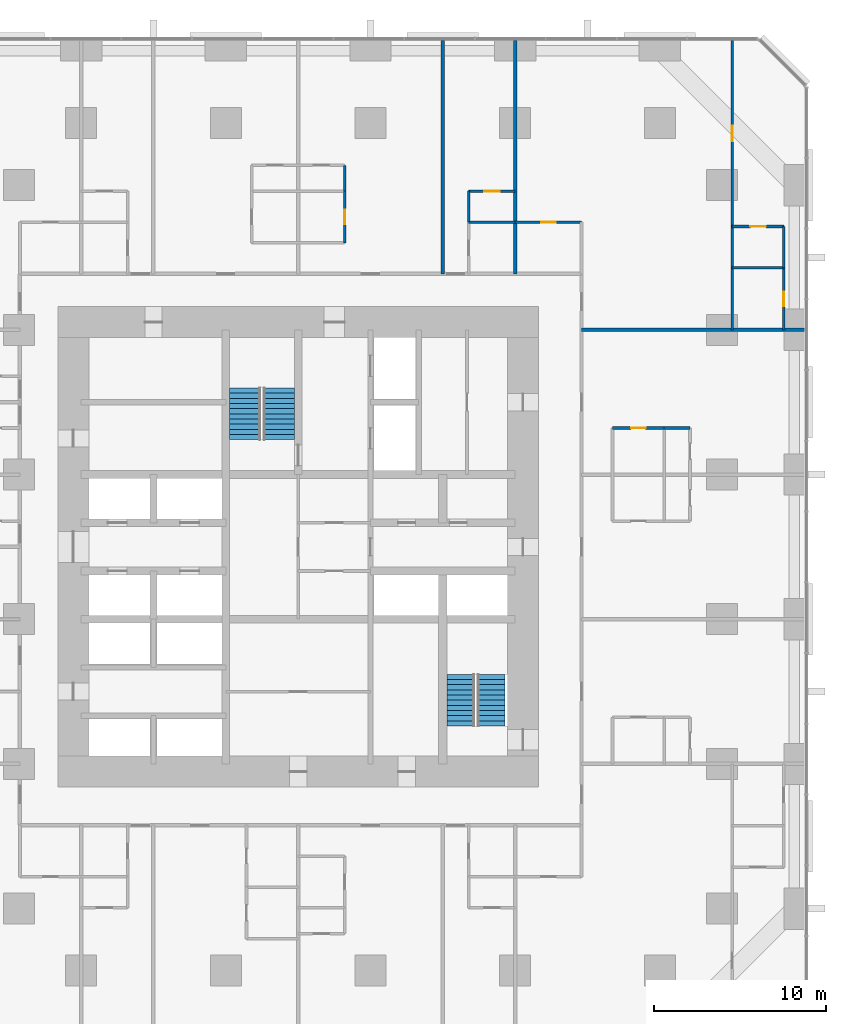
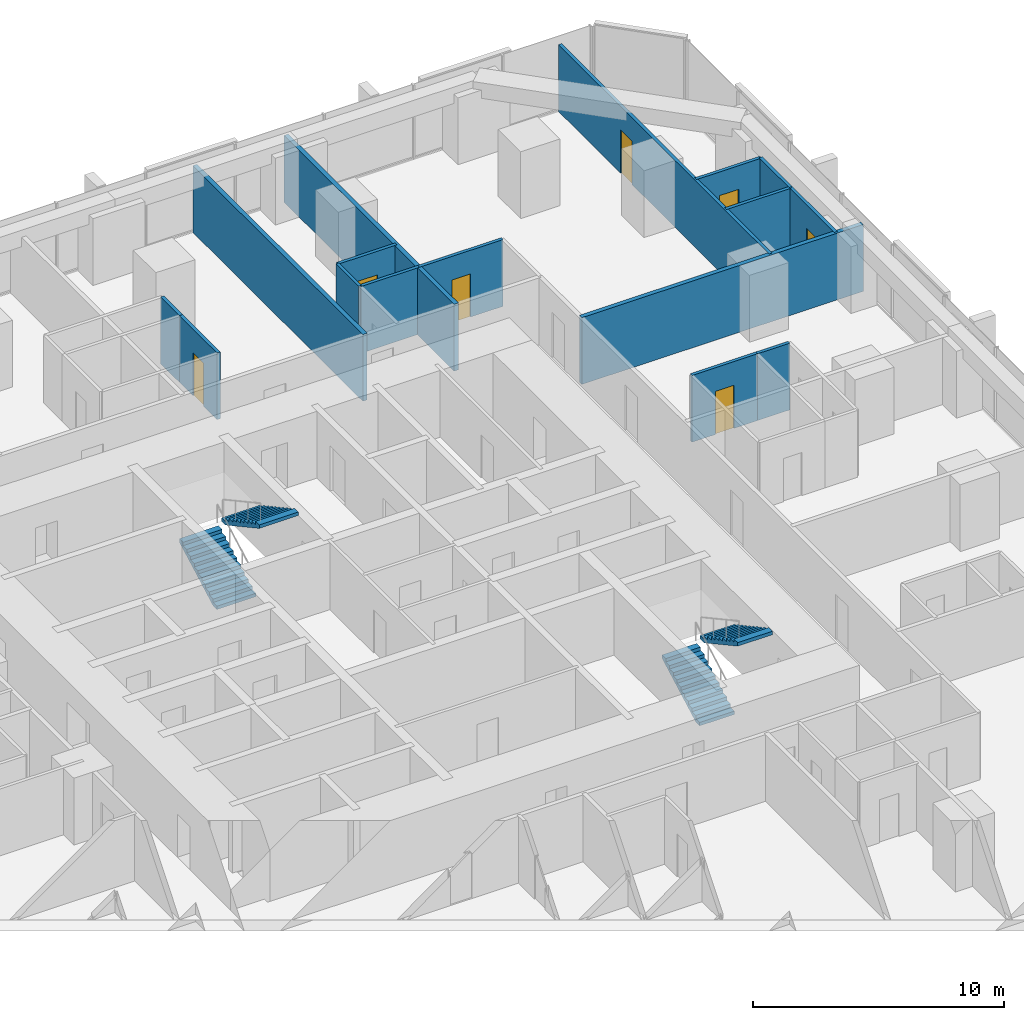
# One storey, part 16 of 17: 16 walls, 7 doors, 4 stair flights, 7 openings, 2 elements without a shape of their own.
"""IFC4 building model written with IfcOpenShell, lengths in metres."""

from ifc_helpers import new_model, si_unit, direction, frame, frame_2d, origin, place, context, subcontext, project, spatial, polyline, rectangle, outline, extrude, material, layer, layer_set, type_object, element, fill, aggregate, save


model = new_model("IFC4")

# Units and contexts
model_context = context("Model", 3, precision=1e-05, world=origin(), true_north=direction((0.0, 1.0)))
body_context = subcontext(model_context, "Body", "Model", "MODEL_VIEW")
ifc_project = project(units=[si_unit("LENGTHUNIT", "METRE"), si_unit("AREAUNIT", "SQUARE_METRE"), si_unit("VOLUMEUNIT", "CUBIC_METRE"), si_unit("PLANEANGLEUNIT", "RADIAN"), si_unit("MASSUNIT", "GRAM", prefix="KILO")], contexts=[model_context])

# Site, building, storey
site_placement = place(None, origin())
site = spatial("IfcSite", under=ifc_project, at=site_placement, CompositionType="ELEMENT")
building_placement = place(site_placement, origin())
building = spatial("IfcBuilding", under=site, at=building_placement, Name="Dunama Terrace Hotel", CompositionType="ELEMENT")
storey_placement = place(building_placement, frame((0.0, 0.0, 34.199951171875)))
storey = spatial("IfcBuildingStorey", under=building, at=storey_placement, Name="L07", CompositionType="ELEMENT", Elevation=34.199951171875)

# Wall, opening, door
ifc_material_1 = material(Name="Gypsum board partition", Category="masonry")
ifc_layer_1 = layer(ifc_material_1, 0.14990234375)
ifc_layer_set_1 = layer_set([ifc_layer_1], Name="Bathroom partition 150")
wall_type_1 = type_object("IfcWallType", Name="Bathroom partition 150", PredefinedType="PARTITIONING", material=ifc_layer_set_1)
wall_1_placement = place(storey_placement, frame((32.10009765625, 47.050048828125, 0.0), z_axis=(0.0, 0.0, 1.0), x_axis=(0.0, 1.0, 0.0)))
wall_1 = element("IfcWall", 1, at=wall_1_placement, inside=storey, type_object=wall_type_1, Name="Bathroom partition 150 L07", PredefinedType="PARTITIONING", context=body_context, shape_type="SweptSolid", body=[
    extrude(rectangle(XDim=3.0, YDim=0.14990234375, at=frame_2d((1.5, 0.0))), origin(), (0.0, 0.0, 1.0), 3.25),
])
opening_1_placement = place(wall_1_placement, frame((1.074951171875, 0.0, 0.0)))
opening_1 = element("IfcOpeningElement", 2, at=opening_1_placement, cuts=wall_1, Name="Opening L07-09-037", PredefinedType="OPENING", context=body_context, shape_type="SweptSolid", body=[
    extrude(rectangle(XDim=0.85009765625, YDim=2.10009765625, at=frame_2d((0.425048828125, 1.050048828125))), frame((0.0, 0.0849609375, 0.0), z_axis=(0.0, -1.0, 0.0), x_axis=(1.0, 0.0, 0.0)), (0.0, 0.0, 1.0), 0.169921875),
])
ifc_material_2 = material(Name="Timber door with steel frame", Category="steel")
door_type_1 = type_object("IfcDoorType", Name="Bathroom door 850", OperationType="SINGLE_SWING_LEFT", PredefinedType="DOOR", material=ifc_material_2)
door_1_placement = place(opening_1_placement, origin())
door_1 = element("IfcDoor", 3, at=door_1_placement, inside=storey, type_object=door_type_1, Name="Door to en-suite bathroom L07-09-037, type D2", OperationType="SINGLE_SWING_RIGHT", OverallHeight=2.10009765625, OverallWidth=0.85009765625, PredefinedType="DOOR", context=body_context, shape_type="SweptSolid", body=[
    extrude(rectangle(XDim=0.85009765625, YDim=2.10009765625, at=frame_2d((0.425048828125, 1.050048828125))), frame((0.0, 0.02490234375, 0.0), z_axis=(0.0, -1.0, 0.0), x_axis=(1.0, 0.0, 0.0)), (0.0, 0.0, 1.0), 0.050048828125),
])
fill(opening_1, door_1)

wall_2_placement = place(storey_placement, frame((57.60009765625, 42.0, 0.0), z_axis=(0.0, 0.0, 1.0), x_axis=(0.0, 1.0, 0.0)))
wall_2 = element("IfcWall", 4, at=wall_2_placement, inside=storey, type_object=wall_type_1, Name="Bathroom partition 150 L07", PredefinedType="PARTITIONING", context=body_context, shape_type="SweptSolid", body=[
    extrude(rectangle(XDim=3.60009765625, YDim=0.14990234375, at=frame_2d((1.800048828125, 0.0))), origin(), (0.0, 0.0, 1.0), 3.25),
])
opening_2_placement = place(wall_2_placement, frame((1.375, 0.0, 0.0)))
opening_2 = element("IfcOpeningElement", 5, at=opening_2_placement, cuts=wall_2, Name="Opening L07-09-071", PredefinedType="OPENING", context=body_context, shape_type="SweptSolid", body=[
    extrude(rectangle(XDim=0.85009765625, YDim=2.10009765625, at=frame_2d((0.425048828125, 1.050048828125))), frame((0.0, 0.0849609375, 0.0), z_axis=(0.0, -1.0, 0.0), x_axis=(1.0, 0.0, 0.0)), (0.0, 0.0, 1.0), 0.169921875),
])
door_2_placement = place(opening_2_placement, origin())
door_2 = element("IfcDoor", 6, at=door_2_placement, inside=storey, type_object=door_type_1, Name="Door to en-suite bathroom L07-09-071, type D2", OperationType="SINGLE_SWING_LEFT", OverallHeight=2.10009765625, OverallWidth=0.85009765625, PredefinedType="DOOR", context=body_context, shape_type="SweptSolid", body=[
    extrude(rectangle(XDim=0.85009765625, YDim=2.10009765625, at=frame_2d((0.425048828125, 1.050048828125))), frame((0.0, 0.02490234375, 0.0), z_axis=(0.0, -1.0, 0.0), x_axis=(1.0, 0.0, 0.0)), (0.0, 0.0, 1.0), 0.050048828125),
])
fill(opening_2, door_2)

wall_3_placement = place(storey_placement, frame((47.64990234375, 36.300048828125, 0.0), z_axis=(0.0, 0.0, 1.0), x_axis=(1.0, 0.0, 0.0)))
wall_3 = element("IfcWall", 7, at=wall_3_placement, inside=storey, type_object=wall_type_1, Name="Bathroom partition 150 L07", PredefinedType="PARTITIONING", context=body_context, shape_type="SweptSolid", body=[
    extrude(rectangle(XDim=3.0, YDim=0.14990234375, at=frame_2d((1.5, 0.0))), origin(), (0.0, 0.0, 1.0), 3.25),
])
opening_3_placement = place(wall_3_placement, frame((1.074951171875, 0.0, 0.0)))
opening_3 = element("IfcOpeningElement", 8, at=opening_3_placement, cuts=wall_3, Name="Opening L07-09-028", PredefinedType="OPENING", context=body_context, shape_type="SweptSolid", body=[
    extrude(rectangle(XDim=0.85009765625, YDim=2.10009765625, at=frame_2d((0.425048828125, 1.050048828125))), frame((0.0, 0.0849609375, 0.0), z_axis=(0.0, -1.0, 0.0), x_axis=(1.0, 0.0, 0.0)), (0.0, 0.0, 1.0), 0.169921875),
])
door_3_placement = place(opening_3_placement, frame((0.85009765625, 0.0, 0.0), z_axis=(0.0, 0.0, 1.0), x_axis=(-1.0, 0.0, 0.0)))
door_3 = element("IfcDoor", 9, at=door_3_placement, inside=storey, type_object=door_type_1, Name="Door to en-suite bathroom L07-09-028, type D2", OperationType="SINGLE_SWING_LEFT", OverallHeight=2.10009765625, OverallWidth=0.85009765625, PredefinedType="DOOR", context=body_context, shape_type="SweptSolid", body=[
    extrude(rectangle(XDim=0.85009765625, YDim=2.10009765625, at=frame_2d((0.425048828125, 1.050048828125))), frame((0.0, 0.025146484375, 0.0), z_axis=(0.0, -1.0, 0.0), x_axis=(1.0, 0.0, 0.0)), (0.0, 0.0, 1.0), 0.050048828125),
])
fill(opening_3, door_3)

wall_4_placement = place(storey_placement, frame((42.0, 48.25, 0.0), z_axis=(0.0, 0.0, 1.0), x_axis=(1.0, 0.0, 0.0)))
wall_4 = element("IfcWall", 10, at=wall_4_placement, inside=storey, type_object=wall_type_1, Name="Bathroom partition 150 L07", PredefinedType="PARTITIONING", context=body_context, shape_type="SweptSolid", body=[
    extrude(rectangle(XDim=3.85009765625, YDim=0.14990234375, at=frame_2d((1.925048828125, 0.0))), origin(), (0.0, 0.0, 1.0), 3.25),
])
opening_4_placement = place(wall_4_placement, frame((1.5, 0.0, 0.0)))
opening_4 = element("IfcOpeningElement", 11, at=opening_4_placement, cuts=wall_4, Name="Opening L07-09-069", PredefinedType="OPENING", context=body_context, shape_type="SweptSolid", body=[
    extrude(rectangle(XDim=0.85009765625, YDim=2.10009765625, at=frame_2d((0.425048828125, 1.050048828125))), frame((0.0, 0.0849609375, 0.0), z_axis=(0.0, -1.0, 0.0), x_axis=(1.0, 0.0, 0.0)), (0.0, 0.0, 1.0), 0.169921875),
])
door_4_placement = place(opening_4_placement, frame((0.85009765625, 0.0, 0.0), z_axis=(0.0, 0.0, 1.0), x_axis=(-1.0, 0.0, 0.0)))
door_4 = element("IfcDoor", 12, at=door_4_placement, inside=storey, type_object=door_type_1, Name="Door to powder room L07-09-069, type D2", OperationType="SINGLE_SWING_RIGHT", OverallHeight=2.10009765625, OverallWidth=0.85009765625, PredefinedType="DOOR", context=body_context, shape_type="SweptSolid", body=[
    extrude(rectangle(XDim=0.85009765625, YDim=2.10009765625, at=frame_2d((0.425048828125, 1.050048828125))), frame((0.0, 0.025146484375, 0.0), z_axis=(0.0, -1.0, 0.0), x_axis=(1.0, 0.0, 0.0)), (0.0, 0.0, 1.0), 0.050048828125),
])
fill(opening_4, door_4)

# Walls
ifc_material_3 = material(Name="Concrete blockwork", Category="masonry")
ifc_layer_2 = layer(ifc_material_3, 0.199951171875)
ifc_layer_set_2 = layer_set([ifc_layer_2], Name="Party wall 200")
wall_type_2 = type_object("IfcWallType", Name="Party wall 200", PredefinedType="PARTITIONING", material=ifc_layer_set_2)
for number, where, z_axis, x_axis, name in (
    (13, (37.800048828125, 45.25, 0.0), (0.0, 0.0, 1.0), (0.0, 1.0, 0.0), "Party wall 200 L07"),
    (14, (42.0, 45.25, 0.0), (0.0, 0.0, 1.0), (0.0, 1.0, 0.0), "Party wall 200 L07"),
):
    element("IfcWall", number, at=place(storey_placement, frame(where, z_axis=z_axis, x_axis=x_axis)), inside=storey, type_object=wall_type_2, Name=name, PredefinedType="PARTITIONING", context=body_context, shape_type="SweptSolid", body=[
        extrude(rectangle(XDim=13.55810546875, YDim=0.199951171875, at=frame_2d((6.779052734375, 0.0))), origin(), (0.0, 0.0, 1.0), 3.25),
    ])
wall_5_placement = place(storey_placement, frame((45.85009765625, 42.0, 0.0), z_axis=(0.0, 0.0, 1.0), x_axis=(1.0, 0.0, 0.0)))
element("IfcWall", 15, at=wall_5_placement, inside=storey, type_object=wall_type_2, Name="Party wall 200 L07", PredefinedType="PARTITIONING", context=body_context, shape_type="SweptSolid", body=[
    extrude(rectangle(XDim=12.9580078125, YDim=0.199951171875, at=frame_2d((6.47900390625, 0.0))), origin(), (0.0, 0.0, 1.0), 3.25),
])
ifc_material_4 = material(Name="Gypsum board partition", Category="masonry")
ifc_layer_3 = layer(ifc_material_4, 0.14990234375)
ifc_layer_set_3 = layer_set([ifc_layer_3], Name="Room partition 150")
wall_type_3 = type_object("IfcWallType", Name="Room partition 150", PredefinedType="PARTITIONING", material=ifc_layer_set_3)
wall_6_placement = place(storey_placement, frame((32.10009765625, 50.050048828125, 0.0), z_axis=(0.0, 0.0, 1.0), x_axis=(0.0, 1.0, 0.0)))
element("IfcWall", 16, at=wall_6_placement, inside=storey, type_object=wall_type_3, Name="Room partition 150 L07", PredefinedType="PARTITIONING", context=body_context, shape_type="SweptSolid", body=[
    extrude(rectangle(XDim=1.5, YDim=0.14990234375, at=frame_2d((0.75, 0.0))), origin(), (0.0, 0.0, 1.0), 3.25),
])
wall_7_placement = place(storey_placement, frame((39.300048828125, 48.25, 0.0), z_axis=(0.0, 0.0, 1.0), x_axis=(0.0, 1.0, 0.0)))
element("IfcWall", 17, at=wall_7_placement, inside=storey, type_object=wall_type_3, Name="Room partition 150 L07", PredefinedType="PARTITIONING", context=body_context, shape_type="SweptSolid", body=[
    extrude(rectangle(XDim=1.800048828125, YDim=0.14990234375, at=frame_2d((0.89990234375, 0.0))), origin(), (0.0, 0.0, 1.0), 3.25),
])

# Wall, opening, door
wall_8_placement = place(storey_placement, frame((54.60009765625, 42.0, 0.0), z_axis=(0.0, 0.0, 1.0), x_axis=(0.0, 1.0, 0.0)))
wall_8 = element("IfcWall", 18, at=wall_8_placement, inside=storey, type_object=wall_type_3, Name="Room partition 150 L07", PredefinedType="PARTITIONING", context=body_context, shape_type="SweptSolid", body=[
    extrude(rectangle(XDim=16.80810546875, YDim=0.14990234375, at=frame_2d((8.404052734375, 0.0))), origin(), (0.0, 0.0, 1.0), 3.25),
])
opening_5_placement = place(wall_8_placement, frame((10.949951171875, 0.0, 0.0)))
opening_5 = element("IfcOpeningElement", 19, at=opening_5_placement, cuts=wall_8, Name="Opening L07-09-070", PredefinedType="OPENING", context=body_context, shape_type="SweptSolid", body=[
    extrude(rectangle(XDim=0.89990234375, YDim=2.10009765625, at=frame_2d((0.449951171875, 1.050048828125))), frame((0.0, 0.0849609375, 0.0), z_axis=(0.0, -1.0, 0.0), x_axis=(1.0, 0.0, 0.0)), (0.0, 0.0, 1.0), 0.169921875),
])
ifc_material_5 = material(Name="Timber door with steel frame", Category="steel")
door_type_2 = type_object("IfcDoorType", Name="Suite internal door 900", OperationType="SINGLE_SWING_LEFT", PredefinedType="DOOR", material=ifc_material_5)
door_5_placement = place(opening_5_placement, frame((0.89990234375, 0.0, 0.0), z_axis=(0.0, 0.0, 1.0), x_axis=(-1.0, 0.0, 0.0)))
door_5 = element("IfcDoor", 20, at=door_5_placement, inside=storey, type_object=door_type_2, Name="Door to corner suite bedroom L07-09-070, type D16", OperationType="SINGLE_SWING_RIGHT", OverallHeight=2.10009765625, OverallWidth=0.89990234375, PredefinedType="DOOR", context=body_context, shape_type="SweptSolid", body=[
    extrude(rectangle(XDim=0.89990234375, YDim=2.10009765625, at=frame_2d((0.449951171875, 1.050048828125))), frame((0.0, 0.025146484375, 0.0), z_axis=(0.0, -1.0, 0.0), x_axis=(1.0, 0.0, 0.0)), (0.0, 0.0, 1.0), 0.050048828125),
])
fill(opening_5, door_5)

# Walls
wall_9_placement = place(storey_placement, frame((57.60009765625, 45.60009765625, 0.0), z_axis=(0.0, 0.0, 1.0), x_axis=(0.0, 1.0, 0.0)))
element("IfcWall", 21, at=wall_9_placement, inside=storey, type_object=wall_type_3, Name="Room partition 150 L07", PredefinedType="PARTITIONING", context=body_context, shape_type="SweptSolid", body=[
    extrude(rectangle(XDim=2.39990234375, YDim=0.14990234375, at=frame_2d((1.199951171875, 0.0))), origin(), (0.0, 0.0, 1.0), 3.25),
])
wall_10_placement = place(storey_placement, frame((50.64990234375, 36.300048828125, 0.0), z_axis=(0.0, 0.0, 1.0), x_axis=(1.0, 0.0, 0.0)))
element("IfcWall", 22, at=wall_10_placement, inside=storey, type_object=wall_type_3, Name="Room partition 150 L07", PredefinedType="PARTITIONING", context=body_context, shape_type="SweptSolid", body=[
    extrude(rectangle(XDim=1.5, YDim=0.14990234375, at=frame_2d((0.75, 0.0))), origin(), (0.0, 0.0, 1.0), 3.25),
])
wall_11_placement = place(storey_placement, frame((54.60009765625, 45.60009765625, 0.0), z_axis=(0.0, 0.0, 1.0), x_axis=(1.0, 0.0, 0.0)))
element("IfcWall", 23, at=wall_11_placement, inside=storey, type_object=wall_type_3, Name="Room partition 150 L07", PredefinedType="PARTITIONING", context=body_context, shape_type="SweptSolid", body=[
    extrude(rectangle(XDim=3.0, YDim=0.14990234375, at=frame_2d((1.5, 0.0))), origin(), (0.0, 0.0, 1.0), 3.25),
])

# Wall, opening, door
wall_12_placement = place(storey_placement, frame((54.60009765625, 48.0, 0.0), z_axis=(0.0, 0.0, 1.0), x_axis=(1.0, 0.0, 0.0)))
wall_12 = element("IfcWall", 24, at=wall_12_placement, inside=storey, type_object=wall_type_3, Name="Room partition 150 L07", PredefinedType="PARTITIONING", context=body_context, shape_type="SweptSolid", body=[
    extrude(rectangle(XDim=3.0, YDim=0.14990234375, at=frame_2d((1.5, 0.0))), origin(), (0.0, 0.0, 1.0), 3.25),
])
opening_6_placement = place(wall_12_placement, frame((1.050048828125, 0.0, 0.0)))
opening_6 = element("IfcOpeningElement", 25, at=opening_6_placement, cuts=wall_12, Name="Opening L07-09-072", PredefinedType="OPENING", context=body_context, shape_type="SweptSolid", body=[
    extrude(rectangle(XDim=0.89990234375, YDim=2.10009765625, at=frame_2d((0.449951171875, 1.050048828125))), frame((0.0, 0.0849609375, 0.0), z_axis=(0.0, -1.0, 0.0), x_axis=(1.0, 0.0, 0.0)), (0.0, 0.0, 1.0), 0.169921875),
])
door_6_placement = place(opening_6_placement, frame((0.89990234375, 0.0, 0.0), z_axis=(0.0, 0.0, 1.0), x_axis=(-1.0, 0.0, 0.0)))
door_6 = element("IfcDoor", 26, at=door_6_placement, inside=storey, type_object=door_type_2, Name="Door to dressing room L07-09-072, type D16", OperationType="SINGLE_SWING_RIGHT", OverallHeight=2.10009765625, OverallWidth=0.89990234375, PredefinedType="DOOR", context=body_context, shape_type="SweptSolid", body=[
    extrude(rectangle(XDim=0.89990234375, YDim=2.10009765625, at=frame_2d((0.449951171875, 1.050048828125))), frame((0.0, 0.025146484375, 0.0), z_axis=(0.0, -1.0, 0.0), x_axis=(1.0, 0.0, 0.0)), (0.0, 0.0, 1.0), 0.050048828125),
])
fill(opening_6, door_6)

# Wall
wall_13_placement = place(storey_placement, frame((39.300048828125, 48.25, 0.0), z_axis=(0.0, 0.0, 1.0), x_axis=(1.0, 0.0, 0.0)))
element("IfcWall", 27, at=wall_13_placement, inside=storey, type_object=wall_type_3, Name="Room partition 150 L07", PredefinedType="PARTITIONING", context=body_context, shape_type="SweptSolid", body=[
    extrude(rectangle(XDim=2.699951171875, YDim=0.14990234375, at=frame_2d((1.35009765625, 0.0))), origin(), (0.0, 0.0, 1.0), 3.25),
])

# Wall, opening, door
wall_14_placement = place(storey_placement, frame((39.300048828125, 50.050048828125, 0.0), z_axis=(0.0, 0.0, 1.0), x_axis=(1.0, 0.0, 0.0)))
wall_14 = element("IfcWall", 28, at=wall_14_placement, inside=storey, type_object=wall_type_3, Name="Room partition 150 L07", PredefinedType="PARTITIONING", context=body_context, shape_type="SweptSolid", body=[
    extrude(rectangle(XDim=2.699951171875, YDim=0.14990234375, at=frame_2d((1.35009765625, 0.0))), origin(), (0.0, 0.0, 1.0), 3.25),
])
opening_7_placement = place(wall_14_placement, frame((0.89990234375, 0.0, 0.0)))
opening_7 = element("IfcOpeningElement", 29, at=opening_7_placement, cuts=wall_14, Name="Opening L07-09-041", PredefinedType="OPENING", context=body_context, shape_type="SweptSolid", body=[
    extrude(rectangle(XDim=0.89990234375, YDim=2.10009765625, at=frame_2d((0.449951171875, 1.050048828125))), frame((0.0, 0.0849609375, 0.0), z_axis=(0.0, -1.0, 0.0), x_axis=(1.0, 0.0, 0.0)), (0.0, 0.0, 1.0), 0.169921875),
])
door_7_placement = place(opening_7_placement, frame((0.89990234375, 0.0, 0.0), z_axis=(0.0, 0.0, 1.0), x_axis=(-1.0, 0.0, 0.0)))
door_7 = element("IfcDoor", 30, at=door_7_placement, inside=storey, type_object=door_type_2, Name="Door to walk-in wardrobe L07-09-041, type D16", OperationType="SINGLE_SWING_LEFT", OverallHeight=2.10009765625, OverallWidth=0.89990234375, PredefinedType="DOOR", context=body_context, shape_type="SweptSolid", body=[
    extrude(rectangle(XDim=0.89990234375, YDim=2.10009765625, at=frame_2d((0.449951171875, 1.050048828125))), frame((0.0, 0.025146484375, 0.0), z_axis=(0.0, -1.0, 0.0), x_axis=(1.0, 0.0, 0.0)), (0.0, 0.0, 1.0), 0.050048828125),
])
fill(opening_7, door_7)

# Stair, stair flights
ifc_material_6 = material(Name="Concrete C40/50", Category="concrete")
stair_type_1 = type_object("IfcStairType", Name="Stair ST1-3600-1800", PredefinedType="HALF_TURN_STAIR", material=ifc_material_6)
stair_1_placement = place(storey_placement, origin())
stair_1 = element("IfcStair", 31, at=stair_1_placement, inside=storey, type_object=stair_type_1, Name="Stair ST1 L07", PredefinedType="HALF_TURN_STAIR")
ifc_material_7 = material(Name="Concrete C40/50", Category="concrete")
stair_flight_type_1 = type_object("IfcStairFlightType", Name="Stair flight ST1-3600-1800", PredefinedType="STRAIGHT", material=ifc_material_7)
stair_flight_1_placement = place(storey_placement, frame((26.324951171875, 35.625, 0.0), z_axis=(0.0, 0.0, 1.0), x_axis=(0.0, 1.0, 0.0)))
stair_flight_1 = element("IfcStairFlight", 32, at=stair_flight_1_placement, type_object=stair_flight_type_1, Name="ST1 flight 1", NumberOfRisers=11, NumberOfTreads=10, PredefinedType="STRAIGHT", RiserHeight=0.163636364, TreadLength=0.3, context=body_context, shape_type="SweptSolid", body=[
    extrude(outline(polyline([(0.0, 0.0), (0.0, 0.16357421875), (0.300048828125, 0.16357421875), (0.300048828125, 0.327392578125), (0.60009765625, 0.327392578125), (0.60009765625, 0.490966796875), (0.89990234375, 0.490966796875), (0.89990234375, 0.654541015625), (1.199951171875, 0.654541015625), (1.199951171875, 0.818115234375), (1.5, 0.818115234375), (1.5, 0.98193359375), (1.800048828125, 0.98193359375), (1.800048828125, 1.1455078125), (2.10009765625, 1.1455078125), (2.10009765625, 1.30908203125), (2.39990234375, 1.30908203125), (2.39990234375, 1.47265625), (2.699951171875, 1.47265625), (2.699951171875, 1.636474609375), (3.0, 1.636474609375), (3.0, 1.800048828125), (3.0, 1.465576171875), (0.31298828125, 0.0), (0.0, 0.0)])), frame((0.0, 0.89990234375, 0.0), z_axis=(0.0, -1.0, 0.0), x_axis=(1.0, 0.0, 0.0)), (0.0, 0.0, 1.0), 1.800048828125),
])
stair_flight_2_placement = place(storey_placement, frame((28.27490234375, 38.625, 1.800048828125), z_axis=(0.0, 0.0, 1.0), x_axis=(0.0, -1.0, 0.0)))
stair_flight_2 = element("IfcStairFlight", 33, at=stair_flight_2_placement, type_object=stair_flight_type_1, Name="ST1 flight 2", NumberOfRisers=11, NumberOfTreads=10, PredefinedType="STRAIGHT", RiserHeight=0.163636364, TreadLength=0.3, context=body_context, shape_type="SweptSolid", body=[
    extrude(outline(polyline([(0.0, 0.0), (0.0, 0.16357421875), (0.300048828125, 0.16357421875), (0.300048828125, 0.327392578125), (0.60009765625, 0.327392578125), (0.60009765625, 0.490966796875), (0.89990234375, 0.490966796875), (0.89990234375, 0.654541015625), (1.199951171875, 0.654541015625), (1.199951171875, 0.818115234375), (1.5, 0.818115234375), (1.5, 0.98193359375), (1.800048828125, 0.98193359375), (1.800048828125, 1.1455078125), (2.10009765625, 1.1455078125), (2.10009765625, 1.30908203125), (2.39990234375, 1.30908203125), (2.39990234375, 1.47265625), (2.699951171875, 1.47265625), (2.699951171875, 1.636474609375), (3.0, 1.636474609375), (3.0, 1.800048828125), (3.0, 1.465576171875), (0.31298828125, 0.0), (0.0, 0.0)])), frame((0.0, 0.89990234375, 0.0), z_axis=(0.0, -1.0, 0.0), x_axis=(1.0, 0.0, 0.0)), (0.0, 0.0, 1.0), 1.800048828125),
])
aggregate(stair_1, [stair_flight_1, stair_flight_2])

ifc_material_8 = material(Name="Concrete C40/50", Category="concrete")
stair_type_2 = type_object("IfcStairType", Name="Stair ST2-3600-1600", PredefinedType="HALF_TURN_STAIR", material=ifc_material_8)
stair_2_placement = place(storey_placement, origin())
stair_2 = element("IfcStair", 34, at=stair_2_placement, inside=storey, type_object=stair_type_2, Name="Stair ST2 L07", PredefinedType="HALF_TURN_STAIR")
ifc_material_9 = material(Name="Concrete C40/50", Category="concrete")
stair_flight_type_2 = type_object("IfcStairFlightType", Name="Stair flight ST2-3600-1600", PredefinedType="STRAIGHT", material=ifc_material_9)
stair_flight_3_placement = place(storey_placement, frame((38.85009765625, 19.0, 0.0), z_axis=(0.0, 0.0, 1.0), x_axis=(0.0, 1.0, 0.0)))
stair_flight_3 = element("IfcStairFlight", 35, at=stair_flight_3_placement, type_object=stair_flight_type_2, Name="ST2 flight 1", NumberOfRisers=11, NumberOfTreads=10, PredefinedType="STRAIGHT", RiserHeight=0.163636364, TreadLength=0.3, context=body_context, shape_type="SweptSolid", body=[
    extrude(outline(polyline([(0.0, 0.0), (0.0, 0.16357421875), (0.300048828125, 0.16357421875), (0.300048828125, 0.327392578125), (0.60009765625, 0.327392578125), (0.60009765625, 0.490966796875), (0.89990234375, 0.490966796875), (0.89990234375, 0.654541015625), (1.199951171875, 0.654541015625), (1.199951171875, 0.818115234375), (1.5, 0.818115234375), (1.5, 0.98193359375), (1.800048828125, 0.98193359375), (1.800048828125, 1.1455078125), (2.10009765625, 1.1455078125), (2.10009765625, 1.30908203125), (2.39990234375, 1.30908203125), (2.39990234375, 1.47265625), (2.699951171875, 1.47265625), (2.699951171875, 1.636474609375), (3.0, 1.636474609375), (3.0, 1.800048828125), (3.0, 1.465576171875), (0.31298828125, 0.0), (0.0, 0.0)])), frame((0.0, 0.800048828125, 0.0), z_axis=(0.0, -1.0, 0.0), x_axis=(1.0, 0.0, 0.0)), (0.0, 0.0, 1.0), 1.60009765625),
])
stair_flight_4_placement = place(storey_placement, frame((40.60009765625, 22.0, 1.800048828125), z_axis=(0.0, 0.0, 1.0), x_axis=(0.0, -1.0, 0.0)))
stair_flight_4 = element("IfcStairFlight", 36, at=stair_flight_4_placement, type_object=stair_flight_type_2, Name="ST2 flight 2", NumberOfRisers=11, NumberOfTreads=10, PredefinedType="STRAIGHT", RiserHeight=0.163636364, TreadLength=0.3, context=body_context, shape_type="SweptSolid", body=[
    extrude(outline(polyline([(0.0, 0.0), (0.0, 0.16357421875), (0.300048828125, 0.16357421875), (0.300048828125, 0.327392578125), (0.60009765625, 0.327392578125), (0.60009765625, 0.490966796875), (0.89990234375, 0.490966796875), (0.89990234375, 0.654541015625), (1.199951171875, 0.654541015625), (1.199951171875, 0.818115234375), (1.5, 0.818115234375), (1.5, 0.98193359375), (1.800048828125, 0.98193359375), (1.800048828125, 1.1455078125), (2.10009765625, 1.1455078125), (2.10009765625, 1.30908203125), (2.39990234375, 1.30908203125), (2.39990234375, 1.47265625), (2.699951171875, 1.47265625), (2.699951171875, 1.636474609375), (3.0, 1.636474609375), (3.0, 1.800048828125), (3.0, 1.465576171875), (0.31298828125, 0.0), (0.0, 0.0)])), frame((0.0, 0.800048828125, 0.0), z_axis=(0.0, -1.0, 0.0), x_axis=(1.0, 0.0, 0.0)), (0.0, 0.0, 1.0), 1.60009765625),
])
aggregate(stair_2, [stair_flight_3, stair_flight_4])

save(model, "model.ifc")
